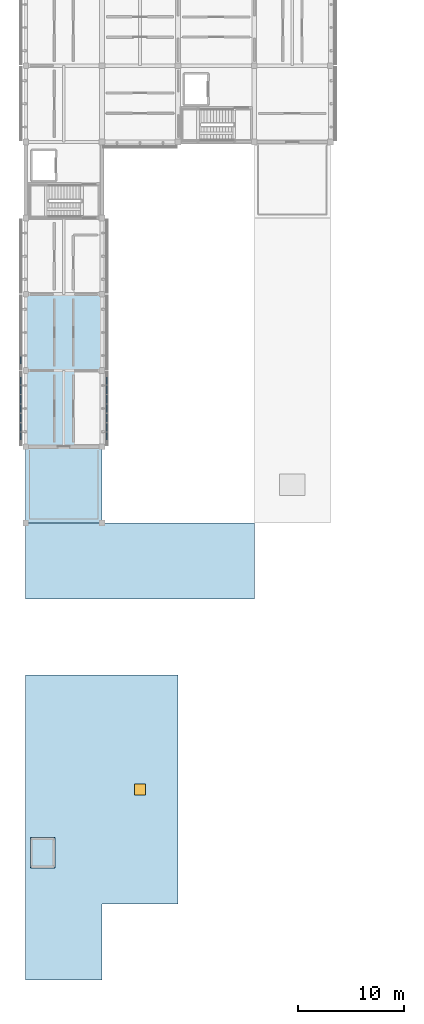
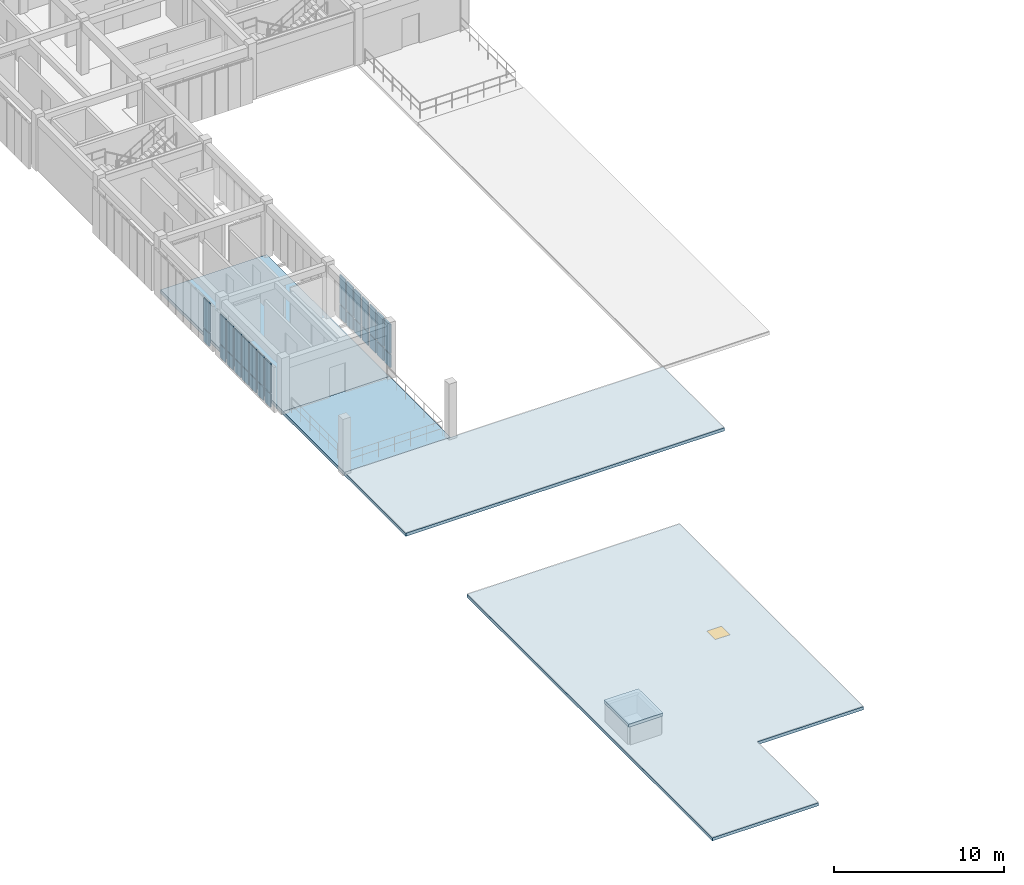
# One storey, part 16 of 33: 30 plates, 5 slabs, 1 door, 1 opening, 3 elements without a shape of their own.
"""IFC4 building model written with IfcOpenShell, lengths in metres."""

from ifc_helpers import new_model, si_unit, direction, frame, origin, origin_2d, place, context, subcontext, project, spatial, polyline, rectangle, outline, extrude, material, layer, layer_set, type_object, element, fill, aggregate, save


model = new_model("IFC4")

# Units and contexts
model_context = context("Model", 3, precision=1e-05, world=origin(), true_north=direction((0.0, 1.0)))
body_context = subcontext(model_context, "Body", "Model", "MODEL_VIEW")
ifc_project = project(units=[si_unit("LENGTHUNIT", "METRE"), si_unit("AREAUNIT", "SQUARE_METRE"), si_unit("VOLUMEUNIT", "CUBIC_METRE"), si_unit("PLANEANGLEUNIT", "RADIAN"), si_unit("MASSUNIT", "GRAM", prefix="KILO")], contexts=[model_context])

# Site, building, storey
site_placement = place(None, origin())
site = spatial("IfcSite", under=ifc_project, at=site_placement, CompositionType="ELEMENT")
building_placement = place(site_placement, origin())
building = spatial("IfcBuilding", under=site, at=building_placement, Name="Aldebral Square Health Centre", CompositionType="ELEMENT")
storey_placement = place(building_placement, frame((0.0, 0.0, 17.550048828125)))
storey = spatial("IfcBuildingStorey", under=building, at=storey_placement, Name="L04", CompositionType="ELEMENT", Elevation=17.550048828125)

# Curtain wall, plates
ifc_material_1 = material(Name="Aluminium and low-E solar glass", Category="aluminium")
curtain_wall_type = type_object("IfcCurtainWallType", Name="CW-FIN-SYS", PredefinedType="USERDEFINED", material=ifc_material_1)
curtain_wall_1_placement = place(storey_placement, origin())
curtain_wall_1 = element("IfcCurtainWall", 1, at=curtain_wall_1_placement, inside=storey, type_object=curtain_wall_type, Name="L04 V4 finned curtain wall L04-V4-00-10-W", ObjectType="SOLAR_CURTAIN_WALL", PredefinedType="USERDEFINED")
ifc_material_2 = material(Name="Solar-control low-E double glass", Category="glass")
ifc_layer_1 = layer(ifc_material_2, 0.070068359375, Name="Solar-control low-E double glass", Category="glass")
ifc_layer_set_1 = layer_set([ifc_layer_1], Name="Solar-control low-E double glass")
plate_type_1 = type_object("IfcPlateType", Name="CWP-GLZ-6", PredefinedType="CURTAIN_PANEL", material=ifc_layer_set_1)
plate_1_placement = place(storey_placement, frame((-0.4599609375, 78.234375, 0.074951171875), z_axis=(0.0, 0.0, 1.0), x_axis=(0.0, -1.0, 0.0)))
plate_1 = element("IfcPlate", 2, at=plate_1_placement, type_object=plate_type_1, Name="CW1 panel 1.1", PredefinedType="CURTAIN_PANEL", context=body_context, shape_type="SweptSolid", body=[
    extrude(rectangle(XDim=0.6513671875, YDim=0.070068359375, at=origin_2d()), origin(), (0.0, 0.0, 1.0), 0.9375),
])
plate_2_placement = place(storey_placement, frame((-0.4599609375, 78.234375, 1.08740234375), z_axis=(0.0, 0.0, 1.0), x_axis=(0.0, -1.0, 0.0)))
plate_2 = element("IfcPlate", 3, at=plate_2_placement, type_object=plate_type_1, Name="CW1 panel 1.2", PredefinedType="CURTAIN_PANEL", context=body_context, shape_type="SweptSolid", body=[
    extrude(rectangle(XDim=0.6513671875, YDim=0.070068359375, at=origin_2d()), origin(), (0.0, 0.0, 1.0), 2.08740234375),
])
plate_3_placement = place(storey_placement, frame((-0.4599609375, 77.3828125, 0.074951171875), z_axis=(0.0, 0.0, 1.0), x_axis=(0.0, -1.0, 0.0)))
plate_3 = element("IfcPlate", 4, at=plate_3_placement, type_object=plate_type_1, Name="CW1 panel 2.1", PredefinedType="CURTAIN_PANEL", context=body_context, shape_type="SweptSolid", body=[
    extrude(rectangle(XDim=0.7314453125, YDim=0.070068359375, at=origin_2d()), origin(), (0.0, 0.0, 1.0), 0.9375),
])
plate_4_placement = place(storey_placement, frame((-0.4599609375, 77.3828125, 1.08740234375), z_axis=(0.0, 0.0, 1.0), x_axis=(0.0, -1.0, 0.0)))
plate_4 = element("IfcPlate", 5, at=plate_4_placement, type_object=plate_type_1, Name="CW1 panel 2.2", PredefinedType="CURTAIN_PANEL", context=body_context, shape_type="SweptSolid", body=[
    extrude(rectangle(XDim=0.7314453125, YDim=0.070068359375, at=origin_2d()), origin(), (0.0, 0.0, 1.0), 2.08740234375),
])
plate_5_placement = place(storey_placement, frame((-0.4599609375, 76.491455078125, 0.074951171875), z_axis=(0.0, 0.0, 1.0), x_axis=(0.0, -1.0, 0.0)))
plate_5 = element("IfcPlate", 6, at=plate_5_placement, type_object=plate_type_1, Name="CW1 panel 3.1", PredefinedType="CURTAIN_PANEL", context=body_context, shape_type="SweptSolid", body=[
    extrude(rectangle(XDim=0.7314453125, YDim=0.070068359375, at=origin_2d()), origin(), (0.0, 0.0, 1.0), 0.9375),
])
plate_6_placement = place(storey_placement, frame((-0.4599609375, 76.491455078125, 1.08740234375), z_axis=(0.0, 0.0, 1.0), x_axis=(0.0, -1.0, 0.0)))
plate_6 = element("IfcPlate", 7, at=plate_6_placement, type_object=plate_type_1, Name="CW1 panel 3.2", PredefinedType="CURTAIN_PANEL", context=body_context, shape_type="SweptSolid", body=[
    extrude(rectangle(XDim=0.7314453125, YDim=0.070068359375, at=origin_2d()), origin(), (0.0, 0.0, 1.0), 2.08740234375),
])
plate_7_placement = place(storey_placement, frame((-0.4599609375, 75.60009765625, 0.074951171875), z_axis=(0.0, 0.0, 1.0), x_axis=(0.0, -1.0, 0.0)))
plate_7 = element("IfcPlate", 8, at=plate_7_placement, type_object=plate_type_1, Name="CW1 panel 4.1", PredefinedType="CURTAIN_PANEL", context=body_context, shape_type="SweptSolid", body=[
    extrude(rectangle(XDim=0.7314453125, YDim=0.070068359375, at=origin_2d()), origin(), (0.0, 0.0, 1.0), 0.9375),
])
plate_8_placement = place(storey_placement, frame((-0.4599609375, 75.60009765625, 1.08740234375), z_axis=(0.0, 0.0, 1.0), x_axis=(0.0, -1.0, 0.0)))
plate_8 = element("IfcPlate", 9, at=plate_8_placement, type_object=plate_type_1, Name="CW1 panel 4.2", PredefinedType="CURTAIN_PANEL", context=body_context, shape_type="SweptSolid", body=[
    extrude(rectangle(XDim=0.7314453125, YDim=0.070068359375, at=origin_2d()), origin(), (0.0, 0.0, 1.0), 2.08740234375),
])
plate_9_placement = place(storey_placement, frame((-0.4599609375, 74.70849609375, 0.074951171875), z_axis=(0.0, 0.0, 1.0), x_axis=(0.0, -1.0, 0.0)))
plate_9 = element("IfcPlate", 10, at=plate_9_placement, type_object=plate_type_1, Name="CW1 panel 5.1", PredefinedType="CURTAIN_PANEL", context=body_context, shape_type="SweptSolid", body=[
    extrude(rectangle(XDim=0.7314453125, YDim=0.070068359375, at=origin_2d()), origin(), (0.0, 0.0, 1.0), 0.9375),
])
plate_10_placement = place(storey_placement, frame((-0.4599609375, 74.70849609375, 1.08740234375), z_axis=(0.0, 0.0, 1.0), x_axis=(0.0, -1.0, 0.0)))
plate_10 = element("IfcPlate", 11, at=plate_10_placement, type_object=plate_type_1, Name="CW1 panel 5.2", PredefinedType="CURTAIN_PANEL", context=body_context, shape_type="SweptSolid", body=[
    extrude(rectangle(XDim=0.7314453125, YDim=0.070068359375, at=origin_2d()), origin(), (0.0, 0.0, 1.0), 2.08740234375),
])
plate_11_placement = place(storey_placement, frame((-0.4599609375, 73.817138671875, 0.074951171875), z_axis=(0.0, 0.0, 1.0), x_axis=(0.0, -1.0, 0.0)))
plate_11 = element("IfcPlate", 12, at=plate_11_placement, type_object=plate_type_1, Name="CW1 panel 6.1", PredefinedType="CURTAIN_PANEL", context=body_context, shape_type="SweptSolid", body=[
    extrude(rectangle(XDim=0.7314453125, YDim=0.070068359375, at=origin_2d()), origin(), (0.0, 0.0, 1.0), 0.9375),
])
plate_12_placement = place(storey_placement, frame((-0.4599609375, 73.817138671875, 1.08740234375), z_axis=(0.0, 0.0, 1.0), x_axis=(0.0, -1.0, 0.0)))
plate_12 = element("IfcPlate", 13, at=plate_12_placement, type_object=plate_type_1, Name="CW1 panel 6.2", PredefinedType="CURTAIN_PANEL", context=body_context, shape_type="SweptSolid", body=[
    extrude(rectangle(XDim=0.7314453125, YDim=0.070068359375, at=origin_2d()), origin(), (0.0, 0.0, 1.0), 2.08740234375),
])
plate_13_placement = place(storey_placement, frame((-0.4599609375, 72.9658203125, 0.074951171875), z_axis=(0.0, 0.0, 1.0), x_axis=(0.0, -1.0, 0.0)))
plate_13 = element("IfcPlate", 14, at=plate_13_placement, type_object=plate_type_1, Name="CW1 panel 7.1", PredefinedType="CURTAIN_PANEL", context=body_context, shape_type="SweptSolid", body=[
    extrude(rectangle(XDim=0.6513671875, YDim=0.070068359375, at=origin_2d()), origin(), (0.0, 0.0, 1.0), 0.9375),
])
plate_14_placement = place(storey_placement, frame((-0.4599609375, 72.9658203125, 1.08740234375), z_axis=(0.0, 0.0, 1.0), x_axis=(0.0, -1.0, 0.0)))
plate_14 = element("IfcPlate", 15, at=plate_14_placement, type_object=plate_type_1, Name="CW1 panel 7.2", PredefinedType="CURTAIN_PANEL", context=body_context, shape_type="SweptSolid", body=[
    extrude(rectangle(XDim=0.6513671875, YDim=0.070068359375, at=origin_2d()), origin(), (0.0, 0.0, 1.0), 2.08740234375),
])
aggregate(curtain_wall_1, [plate_1, plate_2, plate_3, plate_4, plate_5, plate_6, plate_7, plate_8, plate_9, plate_10, plate_11, plate_12, plate_13, plate_14])

curtain_wall_2_placement = place(storey_placement, origin())
curtain_wall_2 = element("IfcCurtainWall", 16, at=curtain_wall_2_placement, inside=storey, type_object=curtain_wall_type, Name="L04 V4 finned curtain wall L04-V4-00-10-E", ObjectType="SOLAR_CURTAIN_WALL", PredefinedType="USERDEFINED")
ifc_layer_2 = layer(ifc_material_2, 0.080078125, Name="Solar-control low-E double glass", Category="glass")
ifc_layer_set_2 = layer_set([ifc_layer_2], Name="Solar-control low-E double glass")
plate_type_2 = type_object("IfcPlateType", Name="CWP-GLZ-7", PredefinedType="CURTAIN_PANEL", material=ifc_layer_set_2)
plate_15_placement = place(storey_placement, frame((7.659912109375, 72.9658203125, 0.074951171875), z_axis=(0.0, 0.0, 1.0), x_axis=(0.0, 1.0, 0.0)))
plate_15 = element("IfcPlate", 17, at=plate_15_placement, type_object=plate_type_2, Name="CW1 panel 1.1", PredefinedType="CURTAIN_PANEL", context=body_context, shape_type="SweptSolid", body=[
    extrude(rectangle(XDim=0.6513671875, YDim=0.080078125, at=origin_2d()), origin(), (0.0, 0.0, 1.0), 0.9375),
])
plate_16_placement = place(storey_placement, frame((7.659912109375, 72.9658203125, 1.08740234375), z_axis=(0.0, 0.0, 1.0), x_axis=(0.0, 1.0, 0.0)))
plate_16 = element("IfcPlate", 18, at=plate_16_placement, type_object=plate_type_2, Name="CW1 panel 1.2", PredefinedType="CURTAIN_PANEL", context=body_context, shape_type="SweptSolid", body=[
    extrude(rectangle(XDim=0.6513671875, YDim=0.080078125, at=origin_2d()), origin(), (0.0, 0.0, 1.0), 2.08740234375),
])
plate_17_placement = place(storey_placement, frame((7.659912109375, 73.817138671875, 0.074951171875), z_axis=(0.0, 0.0, 1.0), x_axis=(0.0, 1.0, 0.0)))
plate_17 = element("IfcPlate", 19, at=plate_17_placement, type_object=plate_type_2, Name="CW1 panel 2.1", PredefinedType="CURTAIN_PANEL", context=body_context, shape_type="SweptSolid", body=[
    extrude(rectangle(XDim=0.7314453125, YDim=0.080078125, at=origin_2d()), origin(), (0.0, 0.0, 1.0), 0.9375),
])
plate_18_placement = place(storey_placement, frame((7.659912109375, 73.817138671875, 1.08740234375), z_axis=(0.0, 0.0, 1.0), x_axis=(0.0, 1.0, 0.0)))
plate_18 = element("IfcPlate", 20, at=plate_18_placement, type_object=plate_type_2, Name="CW1 panel 2.2", PredefinedType="CURTAIN_PANEL", context=body_context, shape_type="SweptSolid", body=[
    extrude(rectangle(XDim=0.7314453125, YDim=0.080078125, at=origin_2d()), origin(), (0.0, 0.0, 1.0), 2.08740234375),
])
plate_19_placement = place(storey_placement, frame((7.659912109375, 74.70849609375, 0.074951171875), z_axis=(0.0, 0.0, 1.0), x_axis=(0.0, 1.0, 0.0)))
plate_19 = element("IfcPlate", 21, at=plate_19_placement, type_object=plate_type_2, Name="CW1 panel 3.1", PredefinedType="CURTAIN_PANEL", context=body_context, shape_type="SweptSolid", body=[
    extrude(rectangle(XDim=0.7314453125, YDim=0.080078125, at=origin_2d()), origin(), (0.0, 0.0, 1.0), 0.9375),
])
plate_20_placement = place(storey_placement, frame((7.659912109375, 74.70849609375, 1.08740234375), z_axis=(0.0, 0.0, 1.0), x_axis=(0.0, 1.0, 0.0)))
plate_20 = element("IfcPlate", 22, at=plate_20_placement, type_object=plate_type_2, Name="CW1 panel 3.2", PredefinedType="CURTAIN_PANEL", context=body_context, shape_type="SweptSolid", body=[
    extrude(rectangle(XDim=0.7314453125, YDim=0.080078125, at=origin_2d()), origin(), (0.0, 0.0, 1.0), 2.08740234375),
])
plate_21_placement = place(storey_placement, frame((7.659912109375, 75.60009765625, 0.074951171875), z_axis=(0.0, 0.0, 1.0), x_axis=(0.0, 1.0, 0.0)))
plate_21 = element("IfcPlate", 23, at=plate_21_placement, type_object=plate_type_2, Name="CW1 panel 4.1", PredefinedType="CURTAIN_PANEL", context=body_context, shape_type="SweptSolid", body=[
    extrude(rectangle(XDim=0.7314453125, YDim=0.080078125, at=origin_2d()), origin(), (0.0, 0.0, 1.0), 0.9375),
])
plate_22_placement = place(storey_placement, frame((7.659912109375, 75.60009765625, 1.08740234375), z_axis=(0.0, 0.0, 1.0), x_axis=(0.0, 1.0, 0.0)))
plate_22 = element("IfcPlate", 24, at=plate_22_placement, type_object=plate_type_2, Name="CW1 panel 4.2", PredefinedType="CURTAIN_PANEL", context=body_context, shape_type="SweptSolid", body=[
    extrude(rectangle(XDim=0.7314453125, YDim=0.080078125, at=origin_2d()), origin(), (0.0, 0.0, 1.0), 2.08740234375),
])
plate_23_placement = place(storey_placement, frame((7.659912109375, 76.491455078125, 0.074951171875), z_axis=(0.0, 0.0, 1.0), x_axis=(0.0, 1.0, 0.0)))
plate_23 = element("IfcPlate", 25, at=plate_23_placement, type_object=plate_type_2, Name="CW1 panel 5.1", PredefinedType="CURTAIN_PANEL", context=body_context, shape_type="SweptSolid", body=[
    extrude(rectangle(XDim=0.7314453125, YDim=0.080078125, at=origin_2d()), origin(), (0.0, 0.0, 1.0), 0.9375),
])
plate_24_placement = place(storey_placement, frame((7.659912109375, 76.491455078125, 1.08740234375), z_axis=(0.0, 0.0, 1.0), x_axis=(0.0, 1.0, 0.0)))
plate_24 = element("IfcPlate", 26, at=plate_24_placement, type_object=plate_type_2, Name="CW1 panel 5.2", PredefinedType="CURTAIN_PANEL", context=body_context, shape_type="SweptSolid", body=[
    extrude(rectangle(XDim=0.7314453125, YDim=0.080078125, at=origin_2d()), origin(), (0.0, 0.0, 1.0), 2.08740234375),
])
plate_25_placement = place(storey_placement, frame((7.659912109375, 77.3828125, 0.074951171875), z_axis=(0.0, 0.0, 1.0), x_axis=(0.0, 1.0, 0.0)))
plate_25 = element("IfcPlate", 27, at=plate_25_placement, type_object=plate_type_2, Name="CW1 panel 6.1", PredefinedType="CURTAIN_PANEL", context=body_context, shape_type="SweptSolid", body=[
    extrude(rectangle(XDim=0.7314453125, YDim=0.080078125, at=origin_2d()), origin(), (0.0, 0.0, 1.0), 0.9375),
])
plate_26_placement = place(storey_placement, frame((7.659912109375, 77.3828125, 1.08740234375), z_axis=(0.0, 0.0, 1.0), x_axis=(0.0, 1.0, 0.0)))
plate_26 = element("IfcPlate", 28, at=plate_26_placement, type_object=plate_type_2, Name="CW1 panel 6.2", PredefinedType="CURTAIN_PANEL", context=body_context, shape_type="SweptSolid", body=[
    extrude(rectangle(XDim=0.7314453125, YDim=0.080078125, at=origin_2d()), origin(), (0.0, 0.0, 1.0), 2.08740234375),
])
plate_27_placement = place(storey_placement, frame((7.659912109375, 78.234375, 0.074951171875), z_axis=(0.0, 0.0, 1.0), x_axis=(0.0, 1.0, 0.0)))
plate_27 = element("IfcPlate", 29, at=plate_27_placement, type_object=plate_type_2, Name="CW1 panel 7.1", PredefinedType="CURTAIN_PANEL", context=body_context, shape_type="SweptSolid", body=[
    extrude(rectangle(XDim=0.6513671875, YDim=0.080078125, at=origin_2d()), origin(), (0.0, 0.0, 1.0), 0.9375),
])
plate_28_placement = place(storey_placement, frame((7.659912109375, 78.234375, 1.08740234375), z_axis=(0.0, 0.0, 1.0), x_axis=(0.0, 1.0, 0.0)))
plate_28 = element("IfcPlate", 30, at=plate_28_placement, type_object=plate_type_2, Name="CW1 panel 7.2", PredefinedType="CURTAIN_PANEL", context=body_context, shape_type="SweptSolid", body=[
    extrude(rectangle(XDim=0.6513671875, YDim=0.080078125, at=origin_2d()), origin(), (0.0, 0.0, 1.0), 2.08740234375),
])
aggregate(curtain_wall_2, [plate_15, plate_16, plate_17, plate_18, plate_19, plate_20, plate_21, plate_22, plate_23, plate_24, plate_25, plate_26, plate_27, plate_28])

curtain_wall_3_placement = place(storey_placement, origin())
curtain_wall_3 = element("IfcCurtainWall", 31, at=curtain_wall_3_placement, inside=storey, type_object=curtain_wall_type, Name="L04 V4 finned curtain wall L04-V4-00-11-W", ObjectType="SOLAR_CURTAIN_WALL", PredefinedType="USERDEFINED")
ifc_layer_3 = layer(ifc_material_2, 0.090087890625, Name="Solar-control low-E double glass", Category="glass")
ifc_layer_set_3 = layer_set([ifc_layer_3], Name="Solar-control low-E double glass")
plate_type_3 = type_object("IfcPlateType", Name="CWP-GLZ-8", PredefinedType="CURTAIN_PANEL", material=ifc_layer_set_3)
plate_29_placement = place(storey_placement, frame((-0.4599609375, 80.165771484375, 0.074951171875), z_axis=(0.0, 0.0, 1.0), x_axis=(0.0, -1.0, 0.0)))
plate_29 = element("IfcPlate", 32, at=plate_29_placement, type_object=plate_type_3, Name="CW1 panel 7.1", PredefinedType="CURTAIN_PANEL", context=body_context, shape_type="SweptSolid", body=[
    extrude(rectangle(XDim=0.6513671875, YDim=0.090087890625, at=origin_2d()), origin(), (0.0, 0.0, 1.0), 0.9375),
])
plate_30_placement = place(storey_placement, frame((-0.4599609375, 80.165771484375, 1.08740234375), z_axis=(0.0, 0.0, 1.0), x_axis=(0.0, -1.0, 0.0)))
plate_30 = element("IfcPlate", 33, at=plate_30_placement, type_object=plate_type_3, Name="CW1 panel 7.2", PredefinedType="CURTAIN_PANEL", context=body_context, shape_type="SweptSolid", body=[
    extrude(rectangle(XDim=0.6513671875, YDim=0.090087890625, at=origin_2d()), origin(), (0.0, 0.0, 1.0), 2.08740234375),
])
aggregate(curtain_wall_3, [plate_29, plate_30])

# Slabs
ifc_material_3 = material(Name="Concrete C35/45", Category="concrete")
ifc_layer_4 = layer(ifc_material_3, 0.25, Name="Concrete C35/45", Category="concrete")
ifc_layer_set_4 = layer_set([ifc_layer_4], Name="Concrete C35/45")
slab_type_1 = type_object("IfcSlabType", Name="SL-FLR-250", PredefinedType="FLOOR", material=ifc_layer_set_4)
slab_1_placement = place(storey_placement, frame((0.0, 0.0, -0.25)))
element("IfcSlab", 34, at=slab_1_placement, inside=storey, type_object=slab_type_1, Name="L04 V4 floor slab 1", PredefinedType="FLOOR", context=body_context, shape_type="SweptSolid", body=[
    extrude(outline(polyline([(0.0, 72.0), (0.0, 79.199951171875), (0.0, 86.39990234375), (7.199951171875, 86.39990234375), (7.199951171875, 79.199951171875), (7.199951171875, 72.0), (0.0, 72.0)])), origin(), (0.0, 0.0, 1.0), 0.25),
])
ifc_layer_5 = layer(ifc_material_3, 0.219970703125, Name="Concrete C35/45", Category="concrete")
ifc_layer_set_5 = layer_set([ifc_layer_5], Name="Concrete C35/45")
slab_type_2 = type_object("IfcSlabType", Name="SL-RF-220", PredefinedType="ROOF", material=ifc_layer_set_5)
slab_2_placement = place(storey_placement, frame((0.0, 0.0, -0.219970703125)))
element("IfcSlab", 35, at=slab_2_placement, inside=storey, type_object=slab_type_2, Name="L03 V4 roof slab 1", PredefinedType="ROOF", context=body_context, shape_type="SweptSolid", body=[
    extrude(outline(polyline([(7.199951171875, 64.800048828125), (14.39990234375, 64.800048828125), (21.60009765625, 64.800048828125), (21.60009765625, 57.60009765625), (14.39990234375, 57.60009765625), (7.199951171875, 57.60009765625), (0.0, 57.60009765625), (0.0, 64.800048828125), (7.199951171875, 64.800048828125)])), origin(), (0.0, 0.0, 1.0), 0.219970703125),
])

# Slab, opening, door
slab_3_placement = place(storey_placement, frame((0.0, 0.0, -0.219970703125)))
slab_3 = element("IfcSlab", 36, at=slab_3_placement, inside=storey, type_object=slab_type_2, Name="L03 V6 roof slab 1", PredefinedType="ROOF", context=body_context, shape_type="SweptSolid", body=[
    extrude(outline(polyline([(0.0, 28.800048828125), (0.0, 36.0), (0.0, 43.199951171875), (0.0, 50.39990234375), (7.199951171875, 50.39990234375), (14.39990234375, 50.39990234375), (14.39990234375, 43.199951171875), (14.39990234375, 36.0), (14.39990234375, 28.800048828125), (7.199951171875, 28.800048828125), (7.199951171875, 21.60009765625), (0.0, 21.60009765625), (0.0, 28.800048828125)])), origin(), (0.0, 0.0, 1.0), 0.219970703125),
])
opening_placement = place(slab_3_placement, frame((10.800048828125, 39.60009765625, -0.010009765625)))
opening = element("IfcOpeningElement", 37, at=opening_placement, cuts=slab_3, Name="Opening D-0003", PredefinedType="OPENING", context=body_context, shape_type="SweptSolid", body=[
    extrude(rectangle(XDim=1.0, YDim=1.0, at=origin_2d()), origin(), (0.0, 0.0, 1.0), 0.239990234375),
])
ifc_material_4 = material(Name="Galvanised steel", Category="steel")
door_type = type_object("IfcDoorType", Name="DR-HAT-100", OperationType="SINGLE_SWING_LEFT", PredefinedType="TRAPDOOR", material=ifc_material_4)
door_placement = place(slab_3_placement, frame((10.800048828125, 39.60009765625, 0.169921875)))
door = element("IfcDoor", 38, at=door_placement, inside=storey, type_object=door_type, Name="Roof maintenance hatch DH-04", OperationType="SINGLE_SWING_LEFT", OverallHeight=1.0, OverallWidth=1.0, PredefinedType="TRAPDOOR", context=body_context, shape_type="SweptSolid", body=[
    extrude(rectangle(XDim=1.0, YDim=1.0, at=origin_2d()), origin(), (0.0, 0.0, 1.0), 0.050048828125),
])
fill(opening, door)

# Slabs
slab_4_placement = place(storey_placement, frame((0.0, 0.0, 1.349853515625)))
element("IfcSlab", 39, at=slab_4_placement, inside=storey, type_object=slab_type_2, Name="LF-05 overrun roof cap", PredefinedType="ROOF", context=body_context, shape_type="SweptSolid", body=[
    extrude(outline(polyline([(0.429931640625, 32.179931640625), (2.77001953125, 32.179931640625), (2.77001953125, 35.070068359375), (0.429931640625, 35.070068359375), (0.429931640625, 32.179931640625)])), origin(), (0.0, 0.0, 1.0), 0.22021484375),
])
ifc_layer_6 = layer(ifc_material_3, 0.22998046875, Name="Concrete C35/45", Category="concrete")
ifc_layer_set_6 = layer_set([ifc_layer_6], Name="Concrete C35/45")
slab_type_3 = type_object("IfcSlabType", Name="SL-TER-230", PredefinedType="FLOOR", material=ifc_layer_set_6)
slab_5_placement = place(storey_placement, frame((0.0, 0.0, -0.22998046875)))
element("IfcSlab", 40, at=slab_5_placement, inside=storey, type_object=slab_type_3, Name="L04 Garden Terrace", PredefinedType="FLOOR", context=body_context, shape_type="SweptSolid", body=[
    extrude(outline(polyline([(0.0, 64.800048828125), (0.0, 72.0), (7.199951171875, 72.0), (7.199951171875, 64.800048828125), (0.0, 64.800048828125)])), origin(), (0.0, 0.0, 1.0), 0.22998046875),
])

save(model, "model.ifc")
